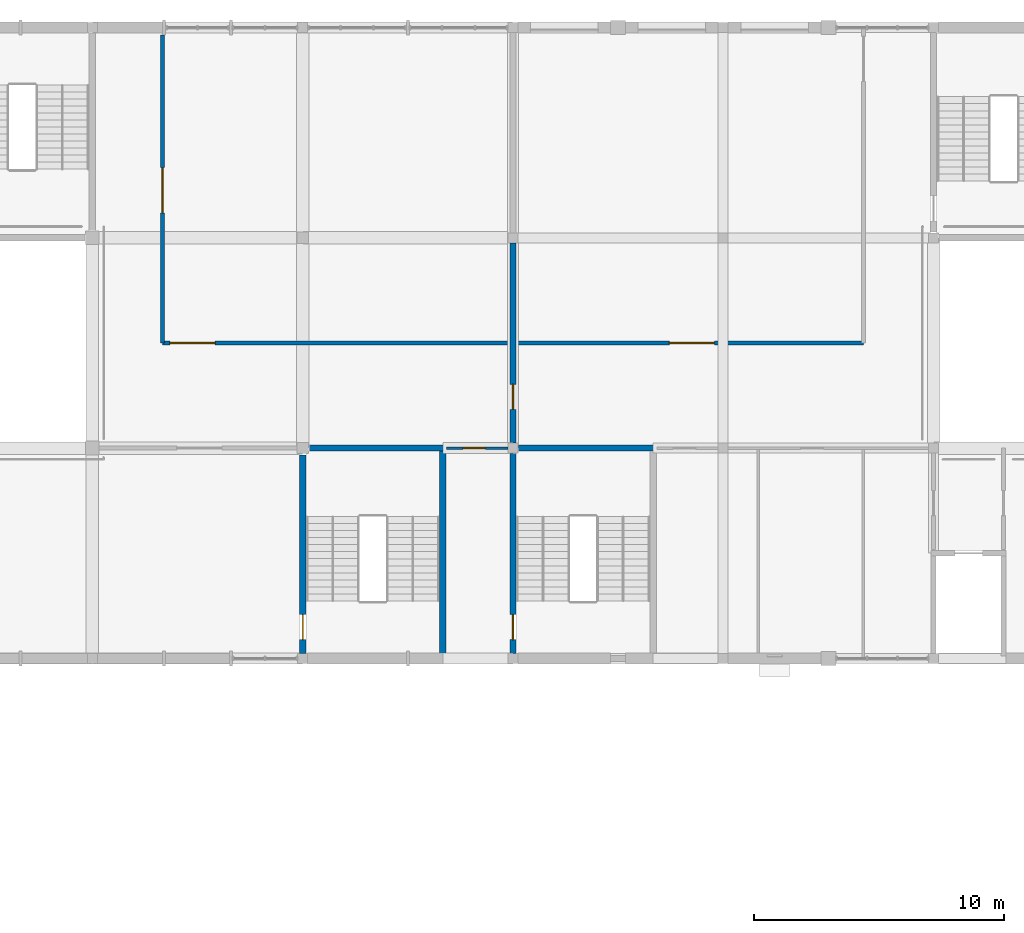
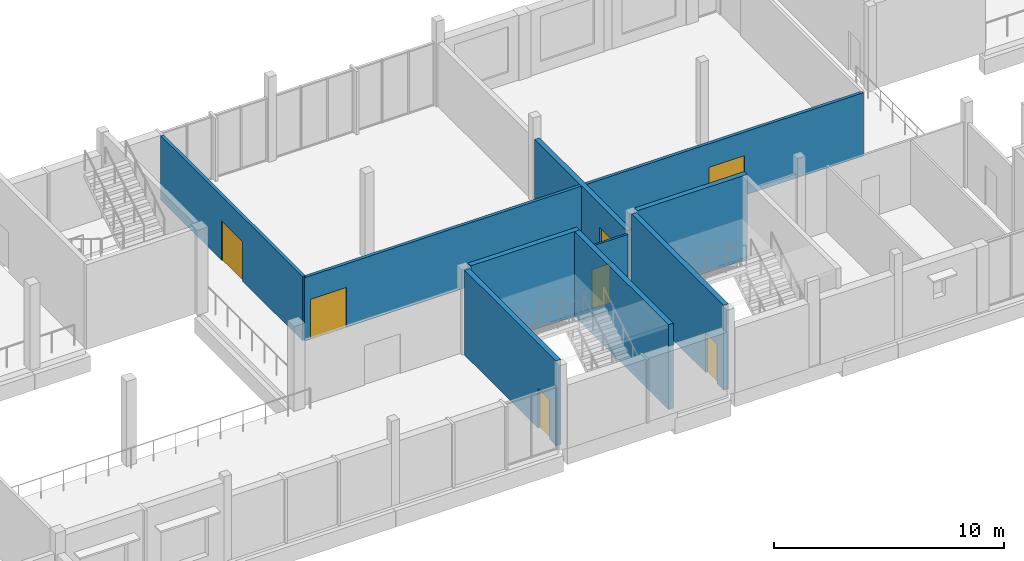
# One storey, part 98 of 116: 9 walls, 7 doors, 7 openings.
"""IFC4 building model written with IfcOpenShell, lengths in metres."""

import ifcopenshell
import ifcopenshell.guid

model = None  # the IFC model being written
_history = None  # IfcOwnerHistory: only IFC2X3 demands one
_inside = {}  # id of a spatial element -> (the spatial element, [elements in it])
_under = {}  # id of a project, library or spatial element -> (it, [spatial elements below it])
_declared = {}  # id of a project -> (the project, [libraries it declares])
_typed = {}  # id of a type object -> (the type object, [elements of that type])
_made_of = {}  # id of a material, layer set ... -> (it, [elements and type objects made of it])


def new_model(schema):
    """Start an empty IFC model of exactly this schema.

    Asked for "IFC4X3", IfcOpenShell would pick the latest addendum, in which some entities
    have other attributes; the version numbers below select the first issue.
    IFC2X3 requires an IfcOwnerHistory on every rooted entity: one is made here for all.
    """
    global model, _history
    if schema == "IFC4X3":
        model = ifcopenshell.file(schema_version=(4, 3, 0, 0))
    else:
        model = ifcopenshell.file(schema=schema)
    _inside.clear()
    _under.clear()
    _declared.clear()
    _typed.clear()
    _made_of.clear()
    _history = None
    if model.schema == "IFC2X3":
        org = make("IfcOrganization", Name="unknown")
        user = make(
            "IfcPersonAndOrganization",
            ThePerson=make("IfcPerson", FamilyName="unknown"),
            TheOrganization=org,
        )
        app = make(
            "IfcApplication",
            ApplicationDeveloper=org,
            Version="unknown",
            ApplicationFullName="unknown",
            ApplicationIdentifier="unknown",
        )
        _history = make(
            "IfcOwnerHistory",
            OwningUser=user,
            OwningApplication=app,
            ChangeAction="ADDED",
            CreationDate=0,
        )
    return model


def make(cls, **values):
    """One entity of the class cls with the attributes given. An attribute that is None is left unset."""
    return model.create_entity(
        cls, **{name: value for name, value in values.items() if value is not None}
    )


def rooted(cls, **values):
    """An entity with a GlobalId (a new one), such as an element, a storey or a relation."""
    return make(cls, GlobalId=ifcopenshell.guid.new(), OwnerHistory=_history, **values)


def si_unit(unit_type, name, prefix=None):
    """IfcSIUnit, for example si_unit("LENGTHUNIT", "METRE", prefix="MILLI")."""
    return make("IfcSIUnit", UnitType=unit_type, Prefix=prefix, Name=name)


def assignment(units):
    """IfcUnitAssignment: the units of a project."""
    return None if units is None else make("IfcUnitAssignment", Units=units)


def point(xyz):
    """IfcCartesianPoint."""
    return None if xyz is None else make("IfcCartesianPoint", Coordinates=xyz)


def direction(xyz):
    """IfcDirection."""
    return None if xyz is None else make("IfcDirection", DirectionRatios=xyz)


def frame(location, z_axis=None, x_axis=None):
    """IfcAxis2Placement3D, a coordinate frame: its origin and axes. An axis left out is left unset."""
    return make(
        "IfcAxis2Placement3D",
        Location=point(location),
        Axis=direction(z_axis),
        RefDirection=direction(x_axis),
    )


def frame_2d(location, x_axis=None):
    """IfcAxis2Placement2D, a coordinate frame in the plane: its origin and x axis."""
    return make(
        "IfcAxis2Placement2D", Location=point(location), RefDirection=direction(x_axis)
    )


def origin():
    """The frame at (0, 0, 0) with its axes left unset."""
    return frame((0.0, 0.0, 0.0))


def place(relative_to, where):
    """IfcLocalPlacement: puts the frame where relative to a parent placement (None: the world)."""
    return make(
        "IfcLocalPlacement", PlacementRelTo=relative_to, RelativePlacement=where
    )


def context(
    kind, dimensions, precision=None, world=None, true_north=None, identifier=None
):
    """IfcGeometricRepresentationContext, for example the 3D "Model" context."""
    return make(
        "IfcGeometricRepresentationContext",
        ContextIdentifier=identifier,
        ContextType=kind,
        CoordinateSpaceDimension=dimensions,
        Precision=precision,
        WorldCoordinateSystem=world,
        TrueNorth=true_north,
    )


def subcontext(parent, identifier, kind, view, scale=None):
    """IfcGeometricRepresentationSubContext, for example "Body" below "Model"."""
    return make(
        "IfcGeometricRepresentationSubContext",
        ContextIdentifier=identifier,
        ContextType=kind,
        ParentContext=parent,
        TargetScale=scale,
        TargetView=view,
    )


def project(units=None, contexts=None):
    """IfcProject with its units and contexts."""
    return rooted(
        "IfcProject",
        Name="project",
        RepresentationContexts=contexts,
        UnitsInContext=assignment(units),
    )


def spatial(cls, under=None, at=None, **own):
    """A site, building, storey or space (cls), placed at a placement, below another one or the project."""
    s = rooted(cls, ObjectPlacement=at, **own)
    if under is not None:
        _under.setdefault(under.id(), (under, []))[1].append(s)
    return s


def profile(cls, at=None, kind="AREA", **sizes):
    """A parametric profile (cls). Its sizes go by their IFC names, for example OverallWidth=200.0."""
    return make(cls, ProfileType=kind, Position=at, **sizes)


def rectangle(**sizes):
    """IfcRectangleProfileDef."""
    return profile("IfcRectangleProfileDef", **sizes)


def extrude(swept, where, along, depth):
    """IfcExtrudedAreaSolid: the profile swept, set in the frame where, extruded along a direction by depth."""
    return make(
        "IfcExtrudedAreaSolid",
        SweptArea=swept,
        Position=where,
        ExtrudedDirection=direction(along),
        Depth=depth,
    )


def shape(context_of_items, identifier, shape_type, items):
    """IfcShapeRepresentation: the items that make up one representation, for example the "Body"."""
    return make(
        "IfcShapeRepresentation",
        ContextOfItems=context_of_items,
        RepresentationIdentifier=identifier,
        RepresentationType=shape_type,
        Items=items,
    )


def material(Name=None, Category=None):
    """IfcMaterial."""
    return make("IfcMaterial", Name=Name, Category=Category)


def layer(
    of_material, thickness, ventilated=None, Name=None, Category=None, Priority=None
):
    """IfcMaterialLayer: one layer of a wall or slab, of a material (None: an air gap)."""
    return make(
        "IfcMaterialLayer",
        Material=of_material,
        LayerThickness=thickness,
        IsVentilated=ventilated,
        Name=Name,
        Category=Category,
        Priority=Priority,
    )


def layer_set(layers, Name=None):
    """IfcMaterialLayerSet."""
    return make("IfcMaterialLayerSet", MaterialLayers=layers, LayerSetName=Name)


def made_of(thing, what):
    """Note that an element or type object is made of a material, layer set ...; save() writes the relation."""
    if what is not None:
        _made_of.setdefault(what.id(), (what, []))[1].append(thing)
    return thing


def type_object(cls, material=None, **own):
    """A type object (cls), such as IfcWallType, which elements share."""
    return made_of(rooted(cls, **own), material)


def element(
    cls,
    number,
    at=None,
    inside=None,
    cuts=None,
    type_object=None,
    material=None,
    context=None,
    identifier="Body",
    shape_type=None,
    held_by="IfcProductDefinitionShape",
    body=None,
    shapes=None,
    **own,
):
    """One element of the class cls, such as IfcWall. Its Tag is "e" and its number.

    at: its placement. inside: the storey or other place that contains it. cuts: it is an
    opening in that element (IfcRelVoidsElement). A single representation is given by context,
    identifier, shape_type and body (its items); several are given by shapes. held_by: the class
    of the entity that holds the representations. save() writes the other relations.
    """
    e = rooted(cls, Tag="e%d" % number, ObjectPlacement=at, **own)
    if body is not None:
        shapes = [shape(context, identifier, shape_type, body)]
    if shapes is not None:
        e.Representation = make(held_by, Representations=shapes)
    if inside is not None:
        _inside.setdefault(inside.id(), (inside, []))[1].append(e)
    if cuts is not None:
        rooted(
            "IfcRelVoidsElement", RelatingBuildingElement=cuts, RelatedOpeningElement=e
        )
    if type_object is not None:
        _typed.setdefault(type_object.id(), (type_object, []))[1].append(e)
    return made_of(e, material)


def fill(opening, filler):
    """IfcRelFillsElement: the door or window that sits in an opening."""
    return rooted(
        "IfcRelFillsElement",
        RelatingOpeningElement=opening,
        RelatedBuildingElement=filler,
    )


def aggregate(whole, parts):
    """IfcRelAggregates: a whole, such as a stair, and the parts it consists of."""
    return rooted("IfcRelAggregates", RelatingObject=whole, RelatedObjects=parts)


def save(model, path):
    """Write the relations noted so far, then the file.

    IfcRelAggregates (storeys below a building ...), IfcRelContainedInSpatialStructure (elements
    in a storey), IfcRelDefinesByType, IfcRelAssociatesMaterial and IfcRelDeclares: one each for
    every whole, place, type object, material and project.
    """
    for whole, parts in _under.values():
        aggregate(whole, parts)
    for where, things in _inside.values():
        rooted(
            "IfcRelContainedInSpatialStructure",
            RelatedElements=things,
            RelatingStructure=where,
        )
    for kind, things in _typed.values():
        rooted("IfcRelDefinesByType", RelatedObjects=things, RelatingType=kind)
    for what, things in _made_of.values():
        rooted("IfcRelAssociatesMaterial", RelatedObjects=things, RelatingMaterial=what)
    for by, libraries in _declared.values():
        rooted("IfcRelDeclares", RelatingContext=by, RelatedDefinitions=libraries)
    model.write(path)


model = new_model("IFC4")

# Units and contexts
model_context = context("Model", 3, precision=1e-05, world=origin(), true_north=direction((0.0, 1.0)))
body_context = subcontext(model_context, "Body", "Model", "MODEL_VIEW")
ifc_project = project(units=[si_unit("LENGTHUNIT", "METRE"), si_unit("AREAUNIT", "SQUARE_METRE"), si_unit("VOLUMEUNIT", "CUBIC_METRE"), si_unit("PLANEANGLEUNIT", "RADIAN"), si_unit("MASSUNIT", "GRAM", prefix="KILO")], contexts=[model_context])

# Site, building, storey
site_placement = place(None, origin())
site = spatial("IfcSite", under=ifc_project, at=site_placement, CompositionType="ELEMENT")
building_placement = place(site_placement, origin())
building = spatial("IfcBuilding", under=site, at=building_placement, Name="Fescue Hill Polytechnic", CompositionType="ELEMENT")
storey_placement = place(building_placement, frame((0.0, 0.0, 13.5)))
storey = spatial("IfcBuildingStorey", under=building, at=storey_placement, Name="L03", CompositionType="ELEMENT", Elevation=13.5)

# Wall
ifc_material_1 = material(Name="Concrete 40 MPa", Category="concrete")
ifc_layer_1 = layer(ifc_material_1, 0.25)
ifc_layer_set_1 = layer_set([ifc_layer_1], Name="Concrete 40 MPa")
wall_type_1 = type_object("IfcWallType", Name="Core wall 250", PredefinedType="SHEAR", material=ifc_layer_set_1)
wall_1_placement = place(storey_placement, frame((59.02490234375, 117.60009765625, 0.0), z_axis=(0.0, 0.0, 1.0), x_axis=(1.0, 0.0, 0.0)))
element("IfcWall", 1, at=wall_1_placement, inside=storey, type_object=wall_type_1, Name="CW-L03-ST-V4b-1-21", PredefinedType="SHEAR", context=body_context, shape_type="SweptSolid", body=[
    extrude(rectangle(XDim=5.5, YDim=0.25, at=frame_2d((2.75, 0.0))), origin(), (0.0, 0.0, 1.0), 4.5),
])

# Wall, opening, door
wall_2_placement = place(storey_placement, frame((58.800048828125, 109.39990234375, 0.0), z_axis=(0.0, 0.0, 1.0), x_axis=(0.0, 1.0, 0.0)))
wall_2 = element("IfcWall", 2, at=wall_2_placement, inside=storey, type_object=wall_type_1, Name="CW-L03-ST-V4b-1-31", PredefinedType="SHEAR", context=body_context, shape_type="SweptSolid", body=[
    extrude(rectangle(XDim=7.97509765625, YDim=0.25, at=frame_2d((3.987548828125, 0.0))), origin(), (0.0, 0.0, 1.0), 4.5),
])
opening_1_placement = place(wall_2_placement, frame((0.550048828125, 0.0, 0.0)))
opening_1 = element("IfcOpeningElement", 3, at=opening_1_placement, cuts=wall_2, Name="Opening D3045", PredefinedType="OPENING", context=body_context, shape_type="SweptSolid", body=[
    extrude(rectangle(XDim=1.0, YDim=2.10009765625, at=frame_2d((0.5, 1.050048828125))), frame((0.0, 0.135009765625, 0.0), z_axis=(0.0, -1.0, 0.0), x_axis=(1.0, 0.0, 0.0)), (0.0, 0.0, 1.0), 0.27001953125),
])
ifc_material_2 = material(Name="Steel fire door", Category="steel")
door_type_1 = type_object("IfcDoorType", Name="Door single swing 1000x2100 stair fire rated", OperationType="NOTDEFINED", PredefinedType="DOOR", material=ifc_material_2)
door_1_placement = place(opening_1_placement, origin())
door_1 = element("IfcDoor", 4, at=door_1_placement, inside=storey, type_object=door_type_1, Name="L03 ST-V4b-1 stair door", OperationType="SINGLE_SWING_RIGHT", OverallHeight=2.10009765625, OverallWidth=1.0, PredefinedType="DOOR", context=body_context, shape_type="SweptSolid", body=[
    extrude(rectangle(XDim=1.0, YDim=2.10009765625, at=frame_2d((0.5, 1.050048828125))), frame((0.0, 0.02490234375, 0.0), z_axis=(0.0, -1.0, 0.0), x_axis=(1.0, 0.0, 0.0)), (0.0, 0.0, 1.0), 0.050048828125),
])
fill(opening_1, door_1)

# Wall
wall_3_placement = place(storey_placement, frame((50.675048828125, 117.60009765625, 0.0), z_axis=(0.0, 0.0, 1.0), x_axis=(1.0, 0.0, 0.0)))
element("IfcWall", 5, at=wall_3_placement, inside=storey, type_object=wall_type_1, Name="CW-L03-ST-V5-4-21", PredefinedType="SHEAR", context=body_context, shape_type="SweptSolid", body=[
    extrude(rectangle(XDim=5.449951171875, YDim=0.25, at=frame_2d((2.72509765625, 0.0))), origin(), (0.0, 0.0, 1.0), 4.5),
])

# Wall, opening, door
wall_4_placement = place(storey_placement, frame((50.39990234375, 109.39990234375, 0.0), z_axis=(0.0, 0.0, 1.0), x_axis=(0.0, 1.0, 0.0)))
wall_4 = element("IfcWall", 6, at=wall_4_placement, inside=storey, type_object=wall_type_1, Name="CW-L03-ST-V5-4-31", PredefinedType="SHEAR", context=body_context, shape_type="SweptSolid", body=[
    extrude(rectangle(XDim=7.925048828125, YDim=0.25, at=frame_2d((3.96240234375, 0.0))), origin(), (0.0, 0.0, 1.0), 4.5),
])
opening_2_placement = place(wall_4_placement, frame((0.550048828125, 0.0, 0.0)))
opening_2 = element("IfcOpeningElement", 7, at=opening_2_placement, cuts=wall_4, Name="Opening D3044", PredefinedType="OPENING", context=body_context, shape_type="SweptSolid", body=[
    extrude(rectangle(XDim=1.0, YDim=2.10009765625, at=frame_2d((0.5, 1.050048828125))), frame((0.0, 0.135009765625, 0.0), z_axis=(0.0, -1.0, 0.0), x_axis=(1.0, 0.0, 0.0)), (0.0, 0.0, 1.0), 0.27001953125),
])
door_2_placement = place(opening_2_placement, origin())
door_2 = element("IfcDoor", 8, at=door_2_placement, inside=storey, type_object=door_type_1, Name="L03 ST-V5-4 stair door", OperationType="SINGLE_SWING_RIGHT", OverallHeight=2.10009765625, OverallWidth=1.0, PredefinedType="DOOR", context=body_context, shape_type="SweptSolid", body=[
    extrude(rectangle(XDim=1.0, YDim=2.10009765625, at=frame_2d((0.5, 1.050048828125))), frame((0.0, 0.02490234375, 0.0), z_axis=(0.0, -1.0, 0.0), x_axis=(1.0, 0.0, 0.0)), (0.0, 0.0, 1.0), 0.050048828125),
])
fill(opening_2, door_2)

# Wall
wall_5_placement = place(storey_placement, frame((56.0, 109.324951171875, 0.0), z_axis=(0.0, 0.0, 1.0), x_axis=(0.0, 1.0, 0.0)))
element("IfcWall", 9, at=wall_5_placement, inside=storey, type_object=wall_type_1, Name="CW-L03-ST-V5-4-41", PredefinedType="SHEAR", context=body_context, shape_type="SweptSolid", body=[
    extrude(rectangle(XDim=8.150146484375, YDim=0.25, at=frame_2d((4.0751953125, 0.0))), origin(), (0.0, 0.0, 1.0), 4.5),
])

# Wall, openings, doors
ifc_material_3 = material(Name="Gypsum board partition")
ifc_layer_2 = layer(ifc_material_3, 0.14990234375)
ifc_layer_set_2 = layer_set([ifc_layer_2], Name="Gypsum board partition")
wall_type_2 = type_object("IfcWallType", Name="Corridor wall 150 EI 45", PredefinedType="PARTITIONING", material=ifc_layer_set_2)
wall_6_placement = place(storey_placement, frame((44.800048828125, 121.800048828125, 0.0), z_axis=(0.0, 0.0, 1.0), x_axis=(1.0, 0.0, 0.0)))
wall_6 = element("IfcWall", 10, at=wall_6_placement, inside=storey, type_object=wall_type_2, Name="IW-L03-033", PredefinedType="PARTITIONING", context=body_context, shape_type="SweptSolid", body=[
    extrude(rectangle(XDim=28.0, YDim=0.14990234375, at=frame_2d((14.0, 0.0))), origin(), (0.0, 0.0, 1.0), 3.35009765625),
])
opening_3_placement = place(wall_6_placement, frame((0.300048828125, 0.0, 0.0)))
opening_3 = element("IfcOpeningElement", 11, at=opening_3_placement, cuts=wall_6, Name="Opening D3024", PredefinedType="OPENING", context=body_context, shape_type="SweptSolid", body=[
    extrude(rectangle(XDim=1.800048828125, YDim=2.10009765625, at=frame_2d((0.89990234375, 1.050048828125))), frame((0.0, 0.0849609375, 0.0), z_axis=(0.0, -1.0, 0.0), x_axis=(1.0, 0.0, 0.0)), (0.0, 0.0, 1.0), 0.169921875),
])
opening_4_placement = place(wall_6_placement, frame((20.25, 0.0, 0.0)))
opening_4 = element("IfcOpeningElement", 12, at=opening_4_placement, cuts=wall_6, Name="Opening D3032", PredefinedType="OPENING", context=body_context, shape_type="SweptSolid", body=[
    extrude(rectangle(XDim=1.800048828125, YDim=2.10009765625, at=frame_2d((0.89990234375, 1.050048828125))), frame((0.0, 0.0849609375, 0.0), z_axis=(0.0, -1.0, 0.0), x_axis=(1.0, 0.0, 0.0)), (0.0, 0.0, 1.0), 0.169921875),
])
ifc_material_4 = material(Name="Timber", Category="wood")
door_type_2 = type_object("IfcDoorType", Name="Door double swing 1800x2100 FD30S", OperationType="DOUBLE_DOOR_SINGLE_SWING", PredefinedType="DOOR", material=ifc_material_4)
door_3_placement = place(opening_3_placement, origin())
door_3 = element("IfcDoor", 13, at=door_3_placement, inside=storey, type_object=door_type_2, Name="Door D3024", OperationType="DOUBLE_DOOR_SINGLE_SWING", OverallHeight=2.10009765625, OverallWidth=1.800048828125, PredefinedType="DOOR", context=body_context, shape_type="SweptSolid", body=[
    extrude(rectangle(XDim=1.800048828125, YDim=2.10009765625, at=frame_2d((0.89990234375, 1.050048828125))), frame((0.0, 0.02490234375, 0.0), z_axis=(0.0, -1.0, 0.0), x_axis=(1.0, 0.0, 0.0)), (0.0, 0.0, 1.0), 0.050048828125),
])
fill(opening_3, door_3)
door_4_placement = place(opening_4_placement, origin())
door_4 = element("IfcDoor", 14, at=door_4_placement, inside=storey, type_object=door_type_2, Name="Door D3032", OperationType="DOUBLE_DOOR_SINGLE_SWING", OverallHeight=2.10009765625, OverallWidth=1.800048828125, PredefinedType="DOOR", context=body_context, shape_type="SweptSolid", body=[
    extrude(rectangle(XDim=1.800048828125, YDim=2.10009765625, at=frame_2d((0.89990234375, 1.050048828125))), frame((0.0, 0.02490234375, 0.0), z_axis=(0.0, -1.0, 0.0), x_axis=(1.0, 0.0, 0.0)), (0.0, 0.0, 1.0), 0.050048828125),
])
fill(opening_4, door_4)

# Wall, opening, door
wall_7_placement = place(storey_placement, frame((44.800048828125, 121.800048828125, 0.0), z_axis=(0.0, 0.0, 1.0), x_axis=(0.0, 1.0, 0.0)))
wall_7 = element("IfcWall", 15, at=wall_7_placement, inside=storey, type_object=wall_type_2, Name="IW-L03-051", PredefinedType="PARTITIONING", context=body_context, shape_type="SweptSolid", body=[
    extrude(rectangle(XDim=12.300048828125, YDim=0.14990234375, at=frame_2d((6.14990234375, 0.0))), origin(), (0.0, 0.0, 1.0), 3.39990234375),
])
opening_5_placement = place(wall_7_placement, frame((5.199951171875, 0.0, 0.0)))
opening_5 = element("IfcOpeningElement", 16, at=opening_5_placement, cuts=wall_7, Name="Opening D3023", PredefinedType="OPENING", context=body_context, shape_type="SweptSolid", body=[
    extrude(rectangle(XDim=1.800048828125, YDim=2.10009765625, at=frame_2d((0.89990234375, 1.050048828125))), frame((0.0, 0.0849609375, 0.0), z_axis=(0.0, -1.0, 0.0), x_axis=(1.0, 0.0, 0.0)), (0.0, 0.0, 1.0), 0.169921875),
])
door_5_placement = place(opening_5_placement, origin())
door_5 = element("IfcDoor", 17, at=door_5_placement, inside=storey, type_object=door_type_2, Name="Door D3023", OperationType="DOUBLE_DOOR_SINGLE_SWING", OverallHeight=2.10009765625, OverallWidth=1.800048828125, PredefinedType="DOOR", context=body_context, shape_type="SweptSolid", body=[
    extrude(rectangle(XDim=1.800048828125, YDim=2.10009765625, at=frame_2d((0.89990234375, 1.050048828125))), frame((0.0, 0.02490234375, 0.0), z_axis=(0.0, -1.0, 0.0), x_axis=(1.0, 0.0, 0.0)), (0.0, 0.0, 1.0), 0.050048828125),
])
fill(opening_5, door_5)

ifc_material_5 = material(Name="Concrete 35 MPa", Category="concrete")
ifc_layer_3 = layer(ifc_material_5, 0.25)
ifc_layer_set_3 = layer_set([ifc_layer_3], Name="Concrete 35 MPa")
wall_type_3 = type_object("IfcWallType", Name="Party wall 250 concrete EI 120", PredefinedType="SOLIDWALL", material=ifc_layer_set_3)
wall_8_placement = place(storey_placement, frame((58.800048828125, 117.800048828125, 0.0), z_axis=(0.0, 0.0, 1.0), x_axis=(0.0, 1.0, 0.0)))
wall_8 = element("IfcWall", 18, at=wall_8_placement, inside=storey, type_object=wall_type_3, Name="IW-L03-052", PredefinedType="SOLIDWALL", context=body_context, shape_type="SweptSolid", body=[
    extrude(rectangle(XDim=8.0, YDim=0.25, at=frame_2d((4.0, 0.0))), origin(), (0.0, 0.0, 1.0), 3.35009765625),
])
opening_6_placement = place(wall_8_placement, frame((1.35009765625, 0.0, 0.0)))
opening_6 = element("IfcOpeningElement", 19, at=opening_6_placement, cuts=wall_8, Name="Opening D3016", PredefinedType="OPENING", context=body_context, shape_type="SweptSolid", body=[
    extrude(rectangle(XDim=1.0, YDim=2.10009765625, at=frame_2d((0.5, 1.050048828125))), frame((0.0, 0.135009765625, 0.0), z_axis=(0.0, -1.0, 0.0), x_axis=(1.0, 0.0, 0.0)), (0.0, 0.0, 1.0), 0.27001953125),
])
ifc_material_6 = material(Name="Steel", Category="steel")
door_type_3 = type_object("IfcDoorType", Name="Door single swing 1000x2100 FD90", OperationType="SINGLE_SWING_LEFT", PredefinedType="DOOR", material=ifc_material_6)
door_6_placement = place(opening_6_placement, origin())
door_6 = element("IfcDoor", 20, at=door_6_placement, inside=storey, type_object=door_type_3, Name="Door D3016", OperationType="SINGLE_SWING_LEFT", OverallHeight=2.10009765625, OverallWidth=1.0, PredefinedType="DOOR", context=body_context, shape_type="SweptSolid", body=[
    extrude(rectangle(XDim=1.0, YDim=2.10009765625, at=frame_2d((0.5, 1.050048828125))), frame((0.0, 0.02490234375, 0.0), z_axis=(0.0, -1.0, 0.0), x_axis=(1.0, 0.0, 0.0)), (0.0, 0.0, 1.0), 0.050048828125),
])
fill(opening_6, door_6)

ifc_layer_4 = layer(ifc_material_3, 0.10009765625)
ifc_layer_set_4 = layer_set([ifc_layer_4], Name="Gypsum board partition")
wall_type_4 = type_object("IfcWallType", Name="WC partition 100 moisture resistant", PredefinedType="PARTITIONING", material=ifc_layer_set_4)
wall_9_placement = place(storey_placement, frame((56.14990234375, 117.60009765625, 0.0), z_axis=(0.0, 0.0, 1.0), x_axis=(1.0, 0.0, 0.0)))
wall_9 = element("IfcWall", 21, at=wall_9_placement, inside=storey, type_object=wall_type_4, Name="IW-L03-028", PredefinedType="PARTITIONING", context=body_context, shape_type="SweptSolid", body=[
    extrude(rectangle(XDim=2.4501953125, YDim=0.10009765625, at=frame_2d((1.22509765625, 0.0))), origin(), (0.0, 0.0, 1.0), 3.35009765625),
])
opening_7_placement = place(wall_9_placement, frame((0.64990234375, 0.0, 0.0)))
opening_7 = element("IfcOpeningElement", 22, at=opening_7_placement, cuts=wall_9, Name="Opening D3017", PredefinedType="OPENING", context=body_context, shape_type="SweptSolid", body=[
    extrude(rectangle(XDim=0.89990234375, YDim=2.10009765625, at=frame_2d((0.449951171875, 1.050048828125))), frame((0.0, 0.06005859375, 0.0), z_axis=(0.0, -1.0, 0.0), x_axis=(1.0, 0.0, 0.0)), (0.0, 0.0, 1.0), 0.1201171875),
])
door_type_4 = type_object("IfcDoorType", Name="Door single swing 900x2100 store", OperationType="SINGLE_SWING_LEFT", PredefinedType="DOOR", material=ifc_material_4)
door_7_placement = place(opening_7_placement, origin())
door_7 = element("IfcDoor", 23, at=door_7_placement, inside=storey, type_object=door_type_4, Name="Door D3017", OperationType="SINGLE_SWING_LEFT", OverallHeight=2.10009765625, OverallWidth=0.89990234375, PredefinedType="DOOR", context=body_context, shape_type="SweptSolid", body=[
    extrude(rectangle(XDim=0.89990234375, YDim=2.10009765625, at=frame_2d((0.449951171875, 1.050048828125))), frame((0.0, 0.02490234375, 0.0), z_axis=(0.0, -1.0, 0.0), x_axis=(1.0, 0.0, 0.0)), (0.0, 0.0, 1.0), 0.050048828125),
])
fill(opening_7, door_7)

save(model, "model.ifc")
